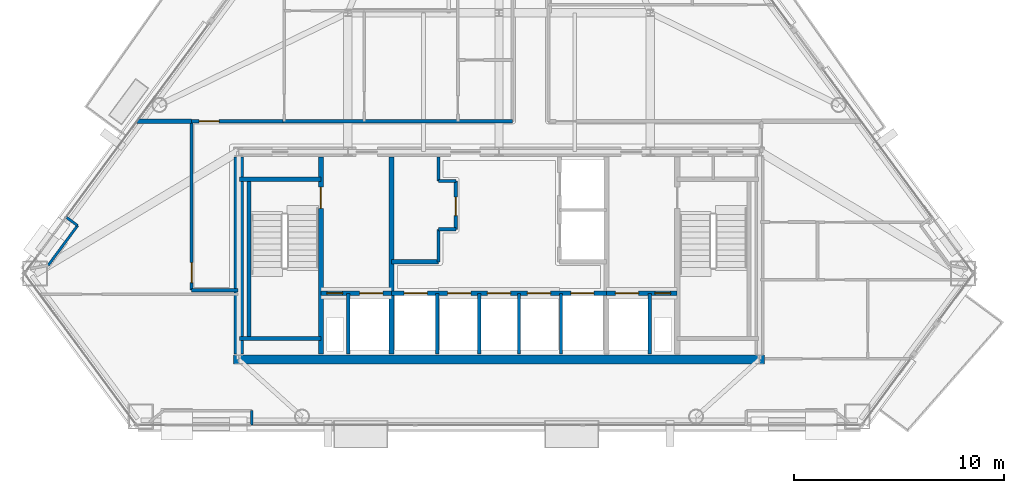
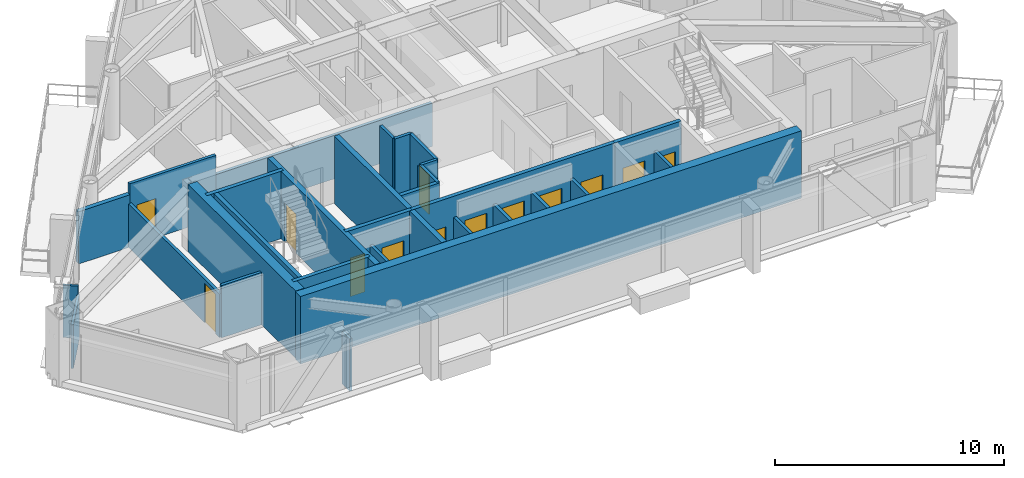
# One storey, part 8 of 13: 30 walls, 13 doors, 13 openings.
"""IFC4 building model written with IfcOpenShell, lengths in metres."""

from ifc_helpers import new_model, si_unit, direction, frame, frame_2d, origin, place, context, subcontext, project, spatial, rectangle, extrude, material, layer, layer_set, type_object, element, fill, save


model = new_model("IFC4")

# Units and contexts
model_context = context("Model", 3, precision=1e-05, world=origin(), true_north=direction((0.0, 1.0)))
body_context = subcontext(model_context, "Body", "Model", "MODEL_VIEW")
ifc_project = project(units=[si_unit("LENGTHUNIT", "METRE"), si_unit("AREAUNIT", "SQUARE_METRE"), si_unit("VOLUMEUNIT", "CUBIC_METRE"), si_unit("PLANEANGLEUNIT", "RADIAN"), si_unit("MASSUNIT", "GRAM", prefix="KILO")], contexts=[model_context])

# Site, building, storey
site_placement = place(None, origin())
site = spatial("IfcSite", under=ifc_project, at=site_placement, CompositionType="ELEMENT")
building_placement = place(site_placement, origin())
building = spatial("IfcBuilding", under=site, at=building_placement, Name="Talgorran Terracotta Tower", CompositionType="ELEMENT")
storey_placement = place(building_placement, frame((0.0, 0.0, 132.89990234375)))
storey = spatial("IfcBuildingStorey", under=building, at=storey_placement, Name="L34", CompositionType="ELEMENT", Elevation=132.89990234375)

# Walls
ifc_material_1 = material(Name="Concrete C50/60", Category="concrete")
ifc_layer_1 = layer(ifc_material_1, 0.199951171875, Name="WT_CORE_200")
ifc_layer_set_1 = layer_set([ifc_layer_1], Name="Concrete C50/60")
wall_type_1 = type_object("IfcWallType", Name="WT_CORE_200", PredefinedType="SOLIDWALL", material=ifc_layer_set_1)
for number, where, z_axis, x_axis, name in (
    (1, (-12.35009765625, -5.52001953125, 0.0), (0.0, 0.0, 1.0), (1.0, 0.0, 0.0), "WL-L34-CW-ST1-N"),
    (2, (-12.35009765625, -13.10009765625, 0.0), (0.0, 0.0, 1.0), (1.0, 0.0, 0.0), "WL-L34-CW-ST1-S"),
):
    element("IfcWall", number, at=place(storey_placement, frame(where, z_axis=z_axis, x_axis=x_axis)), inside=storey, type_object=wall_type_1, Name=name, PredefinedType="SOLIDWALL", context=body_context, shape_type="SweptSolid", body=[
        extrude(rectangle(XDim=3.8701171875, YDim=0.199951171875, at=frame_2d((1.93505859375, 0.0))), origin(), (0.0, 0.0, 1.0), 3.60009765625),
    ])
wall_1_placement = place(storey_placement, frame((-11.89990234375, -13.10009765625, 0.0), z_axis=(0.0, 0.0, 1.0), x_axis=(0.0, 1.0, 0.0)))
element("IfcWall", 3, at=wall_1_placement, inside=storey, type_object=wall_type_1, Name="WL-L34-CW-ST1-W", PredefinedType="SOLIDWALL", context=body_context, shape_type="SweptSolid", body=[
    extrude(rectangle(XDim=7.580078125, YDim=0.199951171875, at=frame_2d((3.7900390625, 0.0))), origin(), (0.0, 0.0, 1.0), 3.60009765625),
])

# Wall, openings, doors
wall_2_placement = place(storey_placement, frame((-8.47998046875, -10.949951171875, 0.0), z_axis=(0.0, 0.0, 1.0), x_axis=(1.0, 0.0, 0.0)))
wall_2 = element("IfcWall", 4, at=wall_2_placement, inside=storey, type_object=wall_type_1, Name="WL-L34-CW-H-SBW", PredefinedType="SOLIDWALL", context=body_context, shape_type="SweptSolid", body=[
    extrude(rectangle(XDim=3.35986328125, YDim=0.199951171875, at=frame_2d((1.679931640625, 0.0))), origin(), (0.0, 0.0, 1.0), 3.60009765625),
])
opening_1_placement = place(wall_2_placement, frame((0.280029296875, 0.0, 0.0)))
opening_1 = element("IfcOpeningElement", 5, at=opening_1_placement, cuts=wall_2, Name="Opening DR-RSW", PredefinedType="OPENING", context=body_context, shape_type="SweptSolid", body=[
    extrude(rectangle(XDim=0.756, YDim=2.054048828125, at=frame_2d((0.375, 1.027099609375))), frame((0.0, 0.10986328125, 0.0), z_axis=(0.0, -1.0, 0.0), x_axis=(1.0, 0.0, 0.0)), (0.0, 0.0, 1.0), 0.219970703125),
])
opening_2_placement = place(wall_2_placement, frame((1.85009765625, 0.0, 0.0)))
opening_2 = element("IfcOpeningElement", 6, at=opening_2_placement, cuts=wall_2, Name="Opening LD-FFL1", PredefinedType="OPENING", context=body_context, shape_type="SweptSolid", body=[
    extrude(rectangle(XDim=1.10609765625, YDim=2.10409765625, at=frame_2d((0.550048828125, 1.052001953125))), frame((0.0, 0.10986328125, 0.0), z_axis=(0.0, -1.0, 0.0), x_axis=(1.0, 0.0, 0.0)), (0.0, 0.0, 1.0), 0.219970703125),
])
ifc_material_2 = material(Name="Brushed Stainless Steel Grade 304", Category="steel")
door_type_1 = type_object("IfcDoorType", Name="DT_LIFT_LD1100", OperationType="DOUBLE_DOOR_SLIDING", PredefinedType="DOOR", material=ifc_material_2)
door_1_placement = place(opening_2_placement, origin())
door_1 = element("IfcDoor", 7, at=door_1_placement, inside=storey, type_object=door_type_1, Name="L34 Lift Landing Door LD-FFL1", OperationType="DOUBLE_DOOR_SLIDING", OverallHeight=2.10009765625, OverallWidth=1.10009765625, PredefinedType="DOOR", context=body_context, shape_type="SweptSolid", body=[
    extrude(rectangle(XDim=1.10009765625, YDim=2.10009765625, at=frame_2d((0.550048828125, 1.050048828125))), frame((0.0, 0.02490234375, 0.0), z_axis=(0.0, -1.0, 0.0), x_axis=(1.0, 0.0, 0.0)), (0.0, 0.0, 1.0), 0.050048828125),
])
fill(opening_2, door_1)
ifc_material_3 = material(Name="Fire-Rated Pressed Steel", Category="steel")
door_type_2 = type_object("IfcDoorType", Name="DT_RISER_750", OperationType="NOTDEFINED", PredefinedType="DOOR", material=ifc_material_3)
door_2_placement = place(opening_1_placement, origin())
door_2 = element("IfcDoor", 8, at=door_2_placement, inside=storey, type_object=door_type_2, Name="DR-RSW", OperationType="SINGLE_SWING_LEFT", OverallHeight=2.050048828125, OverallWidth=0.75, PredefinedType="DOOR", context=body_context, shape_type="SweptSolid", body=[
    extrude(rectangle(XDim=0.75, YDim=2.050048828125, at=frame_2d((0.375, 1.02490234375))), frame((0.0, 0.02490234375, 0.0), z_axis=(0.0, -1.0, 0.0), x_axis=(1.0, 0.0, 0.0)), (0.0, 0.0, 1.0), 0.050048828125),
])
fill(opening_1, door_2)

wall_3_placement = place(storey_placement, frame((-5.1201171875, -10.949951171875, 0.0), z_axis=(0.0, 0.0, 1.0), x_axis=(1.0, 0.0, 0.0)))
wall_3 = element("IfcWall", 9, at=wall_3_placement, inside=storey, type_object=wall_type_1, Name="WL-L34-CW-H-SBC", PredefinedType="SOLIDWALL", context=body_context, shape_type="SweptSolid", body=[
    extrude(rectangle(XDim=10.240234375, YDim=0.199951171875, at=frame_2d((5.1201171875, 0.0))), origin(), (0.0, 0.0, 1.0), 3.60009765625),
])
opening_3_placement = place(wall_3_placement, frame((0.60009765625, 0.0, 0.0)))
opening_3 = element("IfcOpeningElement", 10, at=opening_3_placement, cuts=wall_3, Name="Opening LD-OB1", PredefinedType="OPENING", context=body_context, shape_type="SweptSolid", body=[
    extrude(rectangle(XDim=1.10609765625, YDim=2.10409765625, at=frame_2d((0.550048828125, 1.052001953125))), frame((0.0, 0.10986328125, 0.0), z_axis=(0.0, -1.0, 0.0), x_axis=(1.0, 0.0, 0.0)), (0.0, 0.0, 1.0), 0.219970703125),
])
opening_4_placement = place(wall_3_placement, frame((2.669921875, 0.0, 0.0)))
opening_4 = element("IfcOpeningElement", 11, at=opening_4_placement, cuts=wall_3, Name="Opening LD-PLH1", PredefinedType="OPENING", context=body_context, shape_type="SweptSolid", body=[
    extrude(rectangle(XDim=1.10609765625, YDim=2.10409765625, at=frame_2d((0.550048828125, 1.052001953125))), frame((0.0, 0.10986328125, 0.0), z_axis=(0.0, -1.0, 0.0), x_axis=(1.0, 0.0, 0.0)), (0.0, 0.0, 1.0), 0.219970703125),
])
opening_5_placement = place(wall_3_placement, frame((4.570068359375, 0.0, 0.0)))
opening_5 = element("IfcOpeningElement", 12, at=opening_5_placement, cuts=wall_3, Name="Opening LD-PLH2", PredefinedType="OPENING", context=body_context, shape_type="SweptSolid", body=[
    extrude(rectangle(XDim=1.10609765625, YDim=2.10409765625, at=frame_2d((0.550048828125, 1.052001953125))), frame((0.0, 0.10986328125, 0.0), z_axis=(0.0, -1.0, 0.0), x_axis=(1.0, 0.0, 0.0)), (0.0, 0.0, 1.0), 0.219970703125),
])
opening_6_placement = place(wall_3_placement, frame((6.469970703125, 0.0, 0.0)))
opening_6 = element("IfcOpeningElement", 13, at=opening_6_placement, cuts=wall_3, Name="Opening LD-PLH3", PredefinedType="OPENING", context=body_context, shape_type="SweptSolid", body=[
    extrude(rectangle(XDim=1.10609765625, YDim=2.10409765625, at=frame_2d((0.550048828125, 1.052001953125))), frame((0.0, 0.10986328125, 0.0), z_axis=(0.0, -1.0, 0.0), x_axis=(1.0, 0.0, 0.0)), (0.0, 0.0, 1.0), 0.219970703125),
])
opening_7_placement = place(wall_3_placement, frame((8.5400390625, 0.0, 0.0)))
opening_7 = element("IfcOpeningElement", 14, at=opening_7_placement, cuts=wall_3, Name="Opening LD-SVL1", PredefinedType="OPENING", context=body_context, shape_type="SweptSolid", body=[
    extrude(rectangle(XDim=1.10609765625, YDim=2.10409765625, at=frame_2d((0.550048828125, 1.052001953125))), frame((0.0, 0.10986328125, 0.0), z_axis=(0.0, -1.0, 0.0), x_axis=(1.0, 0.0, 0.0)), (0.0, 0.0, 1.0), 0.219970703125),
])
door_3_placement = place(opening_3_placement, origin())
door_3 = element("IfcDoor", 15, at=door_3_placement, inside=storey, type_object=door_type_1, Name="L34 Lift Landing Door LD-OB1", OperationType="DOUBLE_DOOR_SLIDING", OverallHeight=2.10009765625, OverallWidth=1.10009765625, PredefinedType="DOOR", context=body_context, shape_type="SweptSolid", body=[
    extrude(rectangle(XDim=1.10009765625, YDim=2.10009765625, at=frame_2d((0.550048828125, 1.050048828125))), frame((0.0, 0.02490234375, 0.0), z_axis=(0.0, -1.0, 0.0), x_axis=(1.0, 0.0, 0.0)), (0.0, 0.0, 1.0), 0.050048828125),
])
fill(opening_3, door_3)
door_4_placement = place(opening_4_placement, origin())
door_4 = element("IfcDoor", 16, at=door_4_placement, inside=storey, type_object=door_type_1, Name="L34 Lift Landing Door LD-PLH1", OperationType="DOUBLE_DOOR_SLIDING", OverallHeight=2.10009765625, OverallWidth=1.10009765625, PredefinedType="DOOR", context=body_context, shape_type="SweptSolid", body=[
    extrude(rectangle(XDim=1.10009765625, YDim=2.10009765625, at=frame_2d((0.550048828125, 1.050048828125))), frame((0.0, 0.02490234375, 0.0), z_axis=(0.0, -1.0, 0.0), x_axis=(1.0, 0.0, 0.0)), (0.0, 0.0, 1.0), 0.050048828125),
])
fill(opening_4, door_4)
door_5_placement = place(opening_5_placement, origin())
door_5 = element("IfcDoor", 17, at=door_5_placement, inside=storey, type_object=door_type_1, Name="L34 Lift Landing Door LD-PLH2", OperationType="DOUBLE_DOOR_SLIDING", OverallHeight=2.10009765625, OverallWidth=1.10009765625, PredefinedType="DOOR", context=body_context, shape_type="SweptSolid", body=[
    extrude(rectangle(XDim=1.10009765625, YDim=2.10009765625, at=frame_2d((0.550048828125, 1.050048828125))), frame((0.0, 0.02490234375, 0.0), z_axis=(0.0, -1.0, 0.0), x_axis=(1.0, 0.0, 0.0)), (0.0, 0.0, 1.0), 0.050048828125),
])
fill(opening_5, door_5)
door_6_placement = place(opening_6_placement, origin())
door_6 = element("IfcDoor", 18, at=door_6_placement, inside=storey, type_object=door_type_1, Name="L34 Lift Landing Door LD-PLH3", OperationType="DOUBLE_DOOR_SLIDING", OverallHeight=2.10009765625, OverallWidth=1.10009765625, PredefinedType="DOOR", context=body_context, shape_type="SweptSolid", body=[
    extrude(rectangle(XDim=1.10009765625, YDim=2.10009765625, at=frame_2d((0.550048828125, 1.050048828125))), frame((0.0, 0.02490234375, 0.0), z_axis=(0.0, -1.0, 0.0), x_axis=(1.0, 0.0, 0.0)), (0.0, 0.0, 1.0), 0.050048828125),
])
fill(opening_6, door_6)
door_7_placement = place(opening_7_placement, origin())
door_7 = element("IfcDoor", 19, at=door_7_placement, inside=storey, type_object=door_type_1, Name="L34 Lift Landing Door LD-SVL1", OperationType="DOUBLE_DOOR_SLIDING", OverallHeight=2.10009765625, OverallWidth=1.10009765625, PredefinedType="DOOR", context=body_context, shape_type="SweptSolid", body=[
    extrude(rectangle(XDim=1.10009765625, YDim=2.10009765625, at=frame_2d((0.550048828125, 1.050048828125))), frame((0.0, 0.02490234375, 0.0), z_axis=(0.0, -1.0, 0.0), x_axis=(1.0, 0.0, 0.0)), (0.0, 0.0, 1.0), 0.050048828125),
])
fill(opening_7, door_7)

wall_4_placement = place(storey_placement, frame((5.1201171875, -10.949951171875, 0.0), z_axis=(0.0, 0.0, 1.0), x_axis=(1.0, 0.0, 0.0)))
wall_4 = element("IfcWall", 20, at=wall_4_placement, inside=storey, type_object=wall_type_1, Name="WL-L34-CW-H-SBE", PredefinedType="SOLIDWALL", context=body_context, shape_type="SweptSolid", body=[
    extrude(rectangle(XDim=3.35986328125, YDim=0.199951171875, at=frame_2d((1.679931640625, 0.0))), origin(), (0.0, 0.0, 1.0), 3.60009765625),
])
opening_8_placement = place(wall_4_placement, frame((0.419921875, 0.0, 0.0)))
opening_8 = element("IfcOpeningElement", 21, at=opening_8_placement, cuts=wall_4, Name="Opening LD-FFL2", PredefinedType="OPENING", context=body_context, shape_type="SweptSolid", body=[
    extrude(rectangle(XDim=1.10609765625, YDim=2.10409765625, at=frame_2d((0.550048828125, 1.052001953125))), frame((0.0, 0.10986328125, 0.0), z_axis=(0.0, -1.0, 0.0), x_axis=(1.0, 0.0, 0.0)), (0.0, 0.0, 1.0), 0.219970703125),
])
opening_9_placement = place(wall_4_placement, frame((2.300048828125, 0.0, 0.0)))
opening_9 = element("IfcOpeningElement", 22, at=opening_9_placement, cuts=wall_4, Name="Opening DR-RSE", PredefinedType="OPENING", context=body_context, shape_type="SweptSolid", body=[
    extrude(rectangle(XDim=0.756, YDim=2.054048828125, at=frame_2d((0.375, 1.027099609375))), frame((0.0, 0.10986328125, 0.0), z_axis=(0.0, -1.0, 0.0), x_axis=(1.0, 0.0, 0.0)), (0.0, 0.0, 1.0), 0.219970703125),
])
door_8_placement = place(opening_8_placement, origin())
door_8 = element("IfcDoor", 23, at=door_8_placement, inside=storey, type_object=door_type_1, Name="L34 Lift Landing Door LD-FFL2", OperationType="DOUBLE_DOOR_SLIDING", OverallHeight=2.10009765625, OverallWidth=1.10009765625, PredefinedType="DOOR", context=body_context, shape_type="SweptSolid", body=[
    extrude(rectangle(XDim=1.10009765625, YDim=2.10009765625, at=frame_2d((0.550048828125, 1.050048828125))), frame((0.0, 0.02490234375, 0.0), z_axis=(0.0, -1.0, 0.0), x_axis=(1.0, 0.0, 0.0)), (0.0, 0.0, 1.0), 0.050048828125),
])
fill(opening_8, door_8)
door_9_placement = place(opening_9_placement, origin())
door_9 = element("IfcDoor", 24, at=door_9_placement, inside=storey, type_object=door_type_2, Name="DR-RSE", OperationType="SINGLE_SWING_RIGHT", OverallHeight=2.050048828125, OverallWidth=0.75, PredefinedType="DOOR", context=body_context, shape_type="SweptSolid", body=[
    extrude(rectangle(XDim=0.75, YDim=2.050048828125, at=frame_2d((0.375, 1.02490234375))), frame((0.0, 0.02490234375, 0.0), z_axis=(0.0, -1.0, 0.0), x_axis=(1.0, 0.0, 0.0)), (0.0, 0.0, 1.0), 0.050048828125),
])
fill(opening_9, door_9)

# Wall
wall_5_placement = place(storey_placement, frame((-5.1201171875, -9.449951171875, 0.0), z_axis=(0.0, 0.0, 1.0), x_axis=(1.0, 0.0, 0.0)))
element("IfcWall", 25, at=wall_5_placement, inside=storey, type_object=wall_type_1, Name="WL-L34-CW-H-W4", PredefinedType="SOLIDWALL", context=body_context, shape_type="SweptSolid", body=[
    extrude(rectangle(XDim=2.240234375, YDim=0.199951171875, at=frame_2d((1.1201171875, 0.0))), origin(), (0.0, 0.0, 1.0), 3.35009765625),
])

# Wall, opening, door
ifc_layer_2 = layer(ifc_material_1, 0.25, Name="WT_CORE_250")
ifc_layer_set_2 = layer_set([ifc_layer_2], Name="Concrete C50/60")
wall_type_2 = type_object("IfcWallType", Name="WT_CORE_250", PredefinedType="SHEAR", material=ifc_layer_set_2)
wall_6_placement = place(storey_placement, frame((-8.47998046875, -13.85009765625, 0.0), z_axis=(0.0, 0.0, 1.0), x_axis=(0.0, 1.0, 0.0)))
wall_6 = element("IfcWall", 26, at=wall_6_placement, inside=storey, type_object=wall_type_2, Name="WL-L34-CW-V-W1", PredefinedType="SHEAR", context=body_context, shape_type="SweptSolid", body=[
    extrude(rectangle(XDim=9.400146484375, YDim=0.25, at=frame_2d((4.7001953125, 0.0))), origin(), (0.0, 0.0, 1.0), 3.60009765625),
])
opening_10_placement = place(wall_6_placement, frame((6.949951171875, 0.0, 0.0)))
opening_10 = element("IfcOpeningElement", 27, at=opening_10_placement, cuts=wall_6, Name="Opening DR-ST01", PredefinedType="OPENING", context=body_context, shape_type="SweptSolid", body=[
    extrude(rectangle(XDim=1.006, YDim=2.10409765625, at=frame_2d((0.5, 1.052001953125))), frame((0.0, 0.135009765625, 0.0), z_axis=(0.0, -1.0, 0.0), x_axis=(1.0, 0.0, 0.0)), (0.0, 0.0, 1.0), 0.27001953125),
])
door_type_3 = type_object("IfcDoorType", Name="DT_FIRE_1000", OperationType="NOTDEFINED", PredefinedType="DOOR", material=ifc_material_3)
door_10_placement = place(opening_10_placement, origin())
door_10 = element("IfcDoor", 28, at=door_10_placement, inside=storey, type_object=door_type_3, Name="DR-ST01", OperationType="SINGLE_SWING_LEFT", OverallHeight=2.10009765625, OverallWidth=1.0, PredefinedType="DOOR", context=body_context, shape_type="SweptSolid", body=[
    extrude(rectangle(XDim=1.0, YDim=2.10009765625, at=frame_2d((0.5, 1.050048828125))), frame((0.0, 0.02490234375, 0.0), z_axis=(0.0, -1.0, 0.0), x_axis=(1.0, 0.0, 0.0)), (0.0, 0.0, 1.0), 0.050048828125),
])
fill(opening_10, door_10)

# Walls
wall_7_placement = place(storey_placement, frame((-5.1201171875, -13.85009765625, 0.0), z_axis=(0.0, 0.0, 1.0), x_axis=(0.0, 1.0, 0.0)))
element("IfcWall", 29, at=wall_7_placement, inside=storey, type_object=wall_type_2, Name="WL-L34-CW-V-W2", PredefinedType="SHEAR", context=body_context, shape_type="SweptSolid", body=[
    extrude(rectangle(XDim=9.400146484375, YDim=0.25, at=frame_2d((4.7001953125, 0.0))), origin(), (0.0, 0.0, 1.0), 3.60009765625),
])
ifc_material_4 = material(Name="Concrete C65/80", Category="concrete")
ifc_layer_3 = layer(ifc_material_4, 0.449951171875, Name="WT_CORE_EXT")
ifc_layer_set_3 = layer_set([ifc_layer_3], Name="Concrete C65/80")
wall_type_3 = type_object("IfcWallType", Name="WT_CORE_EXT", PredefinedType="SHEAR", material=ifc_layer_set_3)
wall_8_placement = place(storey_placement, frame((-12.64990234375, -14.10009765625, 0.0), z_axis=(0.0, 0.0, 1.0), x_axis=(1.0, 0.0, 0.0)))
element("IfcWall", 30, at=wall_8_placement, inside=storey, type_object=wall_type_3, Name="WL-L34-CW-OUT-S", PredefinedType="SHEAR", context=body_context, shape_type="SweptSolid", body=[
    extrude(rectangle(XDim=25.2998046875, YDim=0.449951171875, at=frame_2d((12.64990234375, 0.0))), origin(), (0.0, 0.0, 1.0), 3.60009765625),
])
wall_9_placement = place(storey_placement, frame((-12.39990234375, -13.85009765625, 0.0), z_axis=(0.0, 0.0, 1.0), x_axis=(0.0, 1.0, 0.0)))
element("IfcWall", 31, at=wall_9_placement, inside=storey, type_object=wall_type_3, Name="WL-L34-CW-OUT-W", PredefinedType="SHEAR", context=body_context, shape_type="SweptSolid", body=[
    extrude(rectangle(XDim=9.400146484375, YDim=0.449951171875, at=frame_2d((4.7001953125, 0.0))), origin(), (0.0, 0.0, 1.0), 3.60009765625),
])
ifc_material_5 = material(Name="Fire-Rated Steel Stud Plasterboard", Category="steel")
ifc_layer_4 = layer(ifc_material_5, 0.14990234375, Name="WT_FIRE_150")
ifc_layer_set_4 = layer_set([ifc_layer_4], Name="Fire-Rated Steel Stud Plasterboard")
wall_type_4 = type_object("IfcWallType", Name="WT_FIRE_150", PredefinedType="PARTITIONING", material=ifc_layer_set_4)
wall_10_placement = place(storey_placement, frame((-2.8798828125, -9.449951171875, 0.0), z_axis=(0.0, 0.0, 1.0), x_axis=(0.0, 1.0, 0.0)))
element("IfcWall", 32, at=wall_10_placement, inside=storey, type_object=wall_type_4, Name="WL-L34-CW-V-W3A", PredefinedType="PARTITIONING", context=body_context, shape_type="SweptSolid", body=[
    extrude(rectangle(XDim=1.550048828125, YDim=0.14990234375, at=frame_2d((0.77490234375, 0.0))), origin(), (0.0, 0.0, 1.0), 3.35009765625),
])
wall_11_placement = place(storey_placement, frame((-2.8798828125, -7.89990234375, 0.0), z_axis=(0.0, 0.0, 1.0), x_axis=(1.0, 0.0, 0.0)))
element("IfcWall", 33, at=wall_11_placement, inside=storey, type_object=wall_type_4, Name="WL-L34-CW-H-W3B", PredefinedType="PARTITIONING", context=body_context, shape_type="SweptSolid", body=[
    extrude(rectangle(XDim=0.81982421875, YDim=0.14990234375, at=frame_2d((0.409912109375, 0.0))), origin(), (0.0, 0.0, 1.0), 3.35009765625),
])

# Wall, opening, door
wall_12_placement = place(storey_placement, frame((-2.06005859375, -7.89990234375, 0.0), z_axis=(0.0, 0.0, 1.0), x_axis=(0.0, 1.0, 0.0)))
wall_12 = element("IfcWall", 34, at=wall_12_placement, inside=storey, type_object=wall_type_4, Name="WL-L34-CW-V-W3C", PredefinedType="PARTITIONING", context=body_context, shape_type="SweptSolid", body=[
    extrude(rectangle(XDim=2.2998046875, YDim=0.14990234375, at=frame_2d((1.14990234375, 0.0))), origin(), (0.0, 0.0, 1.0), 3.35009765625),
])
opening_11_placement = place(wall_12_placement, frame((0.64990234375, 0.0, 0.0)))
opening_11 = element("IfcOpeningElement", 35, at=opening_11_placement, cuts=wall_12, Name="Opening DR-FRPLL-B", PredefinedType="OPENING", context=body_context, shape_type="SweptSolid", body=[
    extrude(rectangle(XDim=0.8858828125, YDim=2.10409765625, at=frame_2d((0.43994140625, 1.052001953125))), frame((0.0, 0.0849609375, 0.0), z_axis=(0.0, -1.0, 0.0), x_axis=(1.0, 0.0, 0.0)), (0.0, 0.0, 1.0), 0.169921875),
])
ifc_material_6 = material(Name="Solid-Core Painted Timber", Category="wood")
door_type_4 = type_object("IfcDoorType", Name="DT_INT_880", OperationType="NOTDEFINED", PredefinedType="DOOR", material=ifc_material_6)
door_11_placement = place(opening_11_placement, origin())
door_11 = element("IfcDoor", 36, at=door_11_placement, inside=storey, type_object=door_type_4, Name="DR-FRPLL-B", OperationType="SINGLE_SWING_LEFT", OverallHeight=2.10009765625, OverallWidth=0.8798828125, PredefinedType="DOOR", context=body_context, shape_type="SweptSolid", body=[
    extrude(rectangle(XDim=0.8798828125, YDim=2.10009765625, at=frame_2d((0.43994140625, 1.050048828125))), frame((0.0, 0.02490234375, 0.0), z_axis=(0.0, -1.0, 0.0), x_axis=(1.0, 0.0, 0.0)), (0.0, 0.0, 1.0), 0.050048828125),
])
fill(opening_11, door_11)

# Walls
wall_13_placement = place(storey_placement, frame((-2.8798828125, -5.60009765625, 0.0), z_axis=(0.0, 0.0, 1.0), x_axis=(1.0, 0.0, 0.0)))
element("IfcWall", 37, at=wall_13_placement, inside=storey, type_object=wall_type_4, Name="WL-L34-CW-H-W3D", PredefinedType="PARTITIONING", context=body_context, shape_type="SweptSolid", body=[
    extrude(rectangle(XDim=0.81982421875, YDim=0.14990234375, at=frame_2d((0.409912109375, 0.0))), origin(), (0.0, 0.0, 1.0), 3.35009765625),
])
wall_14_placement = place(storey_placement, frame((-2.8798828125, -5.60009765625, 0.0), z_axis=(0.0, 0.0, 1.0), x_axis=(0.0, 1.0, 0.0)))
element("IfcWall", 38, at=wall_14_placement, inside=storey, type_object=wall_type_4, Name="WL-L34-CW-V-W3E", PredefinedType="PARTITIONING", context=body_context, shape_type="SweptSolid", body=[
    extrude(rectangle(XDim=1.150146484375, YDim=0.14990234375, at=frame_2d((0.5751953125, 0.0))), origin(), (0.0, 0.0, 1.0), 3.35009765625),
])

# Wall, opening, door
wall_15_placement = place(storey_placement, frame((-14.639892578125, -10.800048828125, 0.0), z_axis=(0.0, 0.0, 1.0), x_axis=(0.0, 1.0, 0.0)))
wall_15 = element("IfcWall", 39, at=wall_15_placement, inside=storey, type_object=wall_type_4, Name="WL-L34-W-L34-R01", PredefinedType="PARTITIONING", context=body_context, shape_type="SweptSolid", body=[
    extrude(rectangle(XDim=8.0400390625, YDim=0.14990234375, at=frame_2d((4.02001953125, 0.0))), origin(), (0.0, 0.0, 1.0), 2.3251953125),
])
opening_12_placement = place(wall_15_placement, frame((0.35888671875, 0.0, 0.0)))
opening_12 = element("IfcOpeningElement", 40, at=opening_12_placement, cuts=wall_15, Name="Opening DR-L34-R01", PredefinedType="OPENING", context=body_context, shape_type="SweptSolid", body=[
    extrude(rectangle(XDim=0.955951171875, YDim=2.10409765625, at=frame_2d((0.47509765625, 1.052001953125))), frame((0.0, 0.0849609375, 0.0), z_axis=(0.0, -1.0, 0.0), x_axis=(1.0, 0.0, 0.0)), (0.0, 0.0, 1.0), 0.169921875),
])
ifc_material_7 = material(Name="Fire-Rated Timber Core", Category="wood")
door_type_5 = type_object("IfcDoorType", Name="DT_FIRE_950", OperationType="NOTDEFINED", PredefinedType="DOOR", material=ifc_material_7)
door_12_placement = place(opening_12_placement, origin())
door_12 = element("IfcDoor", 41, at=door_12_placement, inside=storey, type_object=door_type_5, Name="DR-L34-R01", OperationType="SINGLE_SWING_LEFT", OverallHeight=2.10009765625, OverallWidth=0.949951171875, PredefinedType="DOOR", context=body_context, shape_type="SweptSolid", body=[
    extrude(rectangle(XDim=0.949951171875, YDim=2.10009765625, at=frame_2d((0.47509765625, 1.050048828125))), frame((0.0, 0.02490234375, 0.0), z_axis=(0.0, -1.0, 0.0), x_axis=(1.0, 0.0, 0.0)), (0.0, 0.0, 1.0), 0.050048828125),
])
fill(opening_12, door_12)

# Wall
wall_16_placement = place(storey_placement, frame((-10.280029296875, -2.760009765625, 0.0), z_axis=(0.0, 0.0, 1.0), x_axis=(1.0, 0.0, 0.0)))
element("IfcWall", 42, at=wall_16_placement, inside=storey, type_object=wall_type_4, Name="WL-L34-W-L34-R09", PredefinedType="PARTITIONING", context=body_context, shape_type="SweptSolid", body=[
    extrude(rectangle(XDim=10.919921875, YDim=0.14990234375, at=frame_2d((5.4599609375, 0.0))), origin(), (0.0, 0.0, 1.0), 2.3251953125),
])

# Wall, opening, door
wall_17_placement = place(storey_placement, frame((-14.639892578125, -2.760009765625, 0.0), z_axis=(0.0, 0.0, 1.0), x_axis=(1.0, 0.0, 0.0)))
wall_17 = element("IfcWall", 43, at=wall_17_placement, inside=storey, type_object=wall_type_4, Name="WL-L34-W-L34-R07", PredefinedType="PARTITIONING", context=body_context, shape_type="SweptSolid", body=[
    extrude(rectangle(XDim=4.35791015625, YDim=0.14990234375, at=frame_2d((2.178955078125, 0.0))), origin(), (0.0, 0.0, 1.0), 3.35009765625),
])
opening_13_placement = place(wall_17_placement, frame((0.35791015625, 0.0, 0.0)))
opening_13 = element("IfcOpeningElement", 44, at=opening_13_placement, cuts=wall_17, Name="Opening DR-L34-R10", PredefinedType="OPENING", context=body_context, shape_type="SweptSolid", body=[
    extrude(rectangle(XDim=0.955951171875, YDim=2.10409765625, at=frame_2d((0.47509765625, 1.052001953125))), frame((0.0, 0.0849609375, 0.0), z_axis=(0.0, -1.0, 0.0), x_axis=(1.0, 0.0, 0.0)), (0.0, 0.0, 1.0), 0.169921875),
])
door_13_placement = place(opening_13_placement, origin())
door_13 = element("IfcDoor", 45, at=door_13_placement, inside=storey, type_object=door_type_5, Name="DR-L34-R10", OperationType="SINGLE_SWING_RIGHT", OverallHeight=2.10009765625, OverallWidth=0.949951171875, PredefinedType="DOOR", context=body_context, shape_type="SweptSolid", body=[
    extrude(rectangle(XDim=0.949951171875, YDim=2.10009765625, at=frame_2d((0.47509765625, 1.050048828125))), frame((0.0, 0.02490234375, 0.0), z_axis=(0.0, -1.0, 0.0), x_axis=(1.0, 0.0, 0.0)), (0.0, 0.0, 1.0), 0.050048828125),
])
fill(opening_13, door_13)

# Walls
wall_18_placement = place(storey_placement, frame((-14.639892578125, -10.800048828125, 0.0), z_axis=(0.0, 0.0, 1.0), x_axis=(1.0, 0.0, 0.0)))
element("IfcWall", 46, at=wall_18_placement, inside=storey, type_object=wall_type_4, Name="WL-L34-W-L34-R02", PredefinedType="PARTITIONING", context=body_context, shape_type="SweptSolid", body=[
    extrude(rectangle(XDim=2.199951171875, YDim=0.14990234375, at=frame_2d((1.10009765625, 0.0))), origin(), (0.0, 0.0, 1.0), 2.7919921875),
])
ifc_material_8 = material(Name="Acoustic Masonry and Plasterboard", Category="masonry")
ifc_layer_5 = layer(ifc_material_8, 0.219970703125, Name="WT_PARTY_220")
ifc_layer_set_5 = layer_set([ifc_layer_5], Name="Acoustic Masonry and Plasterboard")
wall_type_5 = type_object("IfcWallType", Name="WT_PARTY_220", PredefinedType="PARTITIONING", material=ifc_layer_set_5)
wall_19_placement = place(storey_placement, frame((-17.24267578125, -2.760009765625, 0.0), z_axis=(0.0, 0.0, 1.0), x_axis=(1.0, 0.0, 0.0)))
element("IfcWall", 47, at=wall_19_placement, inside=storey, type_object=wall_type_5, Name="WL-L34-W-L34-R18", PredefinedType="PARTITIONING", context=body_context, shape_type="SweptSolid", body=[
    extrude(rectangle(XDim=2.602783203125, YDim=0.219970703125, at=frame_2d((1.30126953125, 0.0))), origin(), (0.0, 0.0, 1.0), 2.7919921875),
])
ifc_material_9 = material(Name="Insulated Steel Stud Plasterboard", Category="steel")
ifc_layer_6 = layer(ifc_material_9, 0.1201171875, Name="WT_PART_120")
ifc_layer_set_6 = layer_set([ifc_layer_6], Name="Insulated Steel Stud Plasterboard")
wall_type_6 = type_object("IfcWallType", Name="WT_PART_120", PredefinedType="PARTITIONING", material=ifc_layer_set_6)
wall_20_placement = place(storey_placement, frame((-20.06640625, -7.724853515625, 0.0), z_axis=(0.0, 0.0, 1.0), x_axis=(-0.594385220585, -0.804180458324, 0.0)))
element("IfcWall", 48, at=wall_20_placement, inside=storey, type_object=wall_type_6, Name="WL-L34-BW-L34-08", PredefinedType="PARTITIONING", context=body_context, shape_type="SweptSolid", body=[
    extrude(rectangle(XDim=2.3505859375, YDim=0.1201171875, at=frame_2d((1.17529296875, 0.0))), origin(), (0.0, 0.0, 1.0), 2.3251953125),
])
for number, where, z_axis, x_axis, name in (
    (49, (-20.605224609375, -7.326416015625, 0.0), (0.0, 0.0, 1.0), (0.804047409182, -0.594565188847, 0.0), "WL-L34-BW-L34-07"),
    (50, (-11.771484375, -16.538818359375, 0.0), (0.0, 0.0, 1.0), (0.0, -1.0, 0.0), "WL-L34-BW-L34-02"),
):
    element("IfcWall", number, at=place(storey_placement, frame(where, z_axis=z_axis, x_axis=x_axis)), inside=storey, type_object=wall_type_6, Name=name, PredefinedType="PARTITIONING", context=body_context, shape_type="SweptSolid", body=[
        extrude(rectangle(XDim=0.670166015625, YDim=0.1201171875, at=frame_2d((0.3349609375, 0.0))), origin(), (0.0, 0.0, 1.0), 2.7919921875),
    ])
ifc_material_10 = material(Name="Fire-Rated Shaftwall")
ifc_layer_7 = layer(ifc_material_10, 0.159912109375, Name="WT_PART_150")
ifc_layer_set_7 = layer_set([ifc_layer_7], Name="Fire-Rated Shaftwall")
wall_type_7 = type_object("IfcWallType", Name="WT_PART_150", PredefinedType="PARTITIONING", material=ifc_layer_set_7)
for number, where, z_axis, x_axis, name in (
    (51, (-7.179931640625, -13.85009765625, 0.0), (0.0, 0.0, 1.0), (0.0, 1.0, 0.0), "WL-L34-CW-RSW"),
    (52, (7.179931640625, -13.85009765625, 0.0), (0.0, 0.0, 1.0), (0.0, 1.0, 0.0), "WL-L34-CW-RSE"),
    (53, (-2.949951171875, -13.85009765625, 0.0), (0.0, 0.0, 1.0), (0.0, 1.0, 0.0), "WL-L34-CW-OB-E"),
    (54, (2.949951171875, -13.85009765625, 0.0), (0.0, 0.0, 1.0), (0.0, 1.0, 0.0), "WL-L34-CW-SV-W"),
    (55, (-0.949951171875, -13.85009765625, 0.0), (0.0, 0.0, 1.0), (0.0, 1.0, 0.0), "WL-L34-CW-PLH-D1"),
    (56, (0.949951171875, -13.85009765625, 0.0), (0.0, 0.0, 1.0), (0.0, 1.0, 0.0), "WL-L34-CW-PLH-D2"),
):
    element("IfcWall", number, at=place(storey_placement, frame(where, z_axis=z_axis, x_axis=x_axis)), inside=storey, type_object=wall_type_7, Name=name, PredefinedType="PARTITIONING", context=body_context, shape_type="SweptSolid", body=[
        extrude(rectangle(XDim=2.900146484375, YDim=0.159912109375, at=frame_2d((1.4501953125, 0.0))), origin(), (0.0, 0.0, 1.0), 2.47509765625),
    ])

save(model, "model.ifc")
